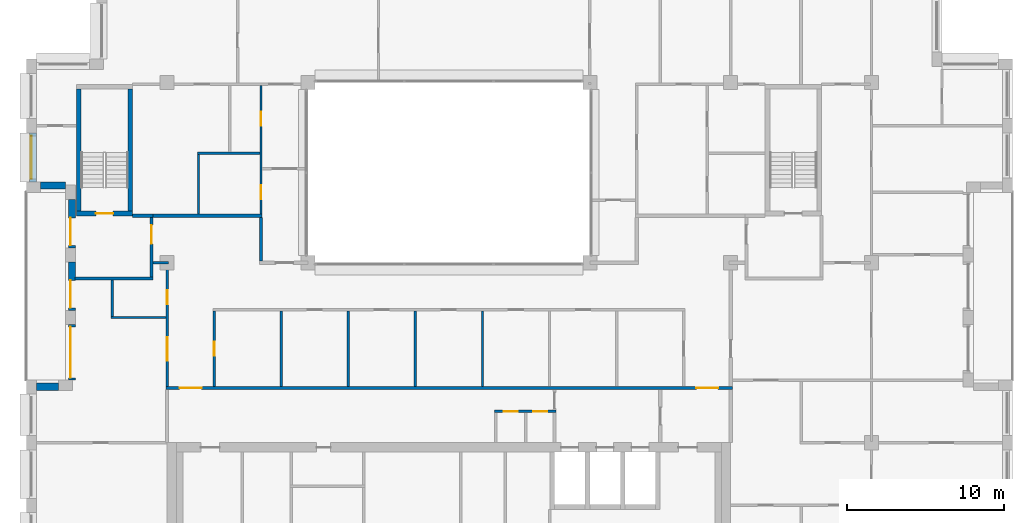
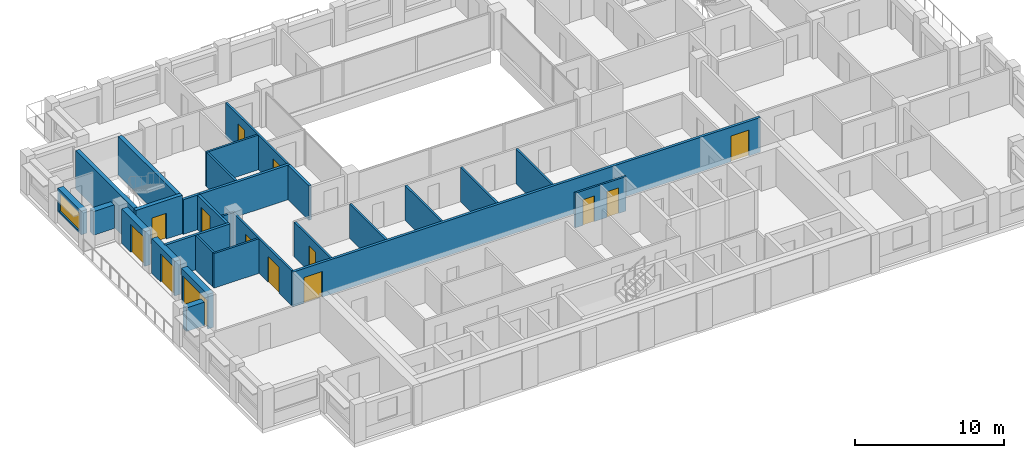
# One storey, part 9 of 15: 28 walls, 14 doors, 1 window, 15 openings.
"""IFC4 building model written with IfcOpenShell, lengths in metres."""

from ifc_helpers import new_model, si_unit, direction, frame, frame_2d, origin, place, context, subcontext, project, spatial, rectangle, extrude, material, layer, layer_set, type_object, element, fill, save


model = new_model("IFC4")

# Units and contexts
model_context = context("Model", 3, precision=1e-05, world=origin(), true_north=direction((0.0, 1.0)))
body_context = subcontext(model_context, "Body", "Model", "MODEL_VIEW")
ifc_project = project(units=[si_unit("LENGTHUNIT", "METRE"), si_unit("AREAUNIT", "SQUARE_METRE"), si_unit("VOLUMEUNIT", "CUBIC_METRE"), si_unit("PLANEANGLEUNIT", "RADIAN"), si_unit("MASSUNIT", "GRAM", prefix="KILO")], contexts=[model_context])

# Site, building, storey
site_placement = place(None, origin())
site = spatial("IfcSite", under=ifc_project, at=site_placement, CompositionType="ELEMENT")
building_placement = place(site_placement, origin())
building = spatial("IfcBuilding", under=site, at=building_placement, Name="Brigalow Station Residences", CompositionType="ELEMENT")
storey_placement = place(building_placement, frame((0.0, 0.0, 220.050048828125)))
storey = spatial("IfcBuildingStorey", under=building, at=storey_placement, Name="L63", CompositionType="ELEMENT", Elevation=220.050048828125)

# Wall, opening, window
ifc_material_1 = material(Name="Clay brick masonry", Category="masonry")
ifc_layer_1 = layer(ifc_material_1, 0.449951171875)
ifc_layer_set_1 = layer_set([ifc_layer_1], Name="BRICK INFILL WALL 450")
wall_type_1 = type_object("IfcWallType", Name="BRICK INFILL WALL 450", PredefinedType="SOLIDWALL", material=ifc_layer_set_1)
wall_1_placement = place(storey_placement, frame((9.425048828125, 32.300048828125, 0.89990234375), z_axis=(0.0, 0.0, 1.0), x_axis=(0.0, -1.0, 0.0)))
wall_1 = element("IfcWall", 1, at=wall_1_placement, inside=storey, type_object=wall_type_1, Name="L63/ewall/W-L63-35", PredefinedType="SOLIDWALL", context=body_context, shape_type="SweptSolid", body=[
    extrude(rectangle(XDim=3.150146484375, YDim=0.449951171875, at=frame_2d((1.5751953125, 0.0))), origin(), (0.0, 0.0, 1.0), 1.929931640625),
])
opening_1_placement = place(wall_1_placement, frame((0.199951171875, 0.0, 0.14990234375)))
opening_1 = element("IfcOpeningElement", 2, at=opening_1_placement, cuts=wall_1, Name="Opening WT-3", PredefinedType="OPENING", context=body_context, shape_type="SweptSolid", body=[
    extrude(rectangle(XDim=2.75, YDim=1.5, at=frame_2d((1.375, 0.75))), frame((0.0, 0.23486328125, 0.0), z_axis=(0.0, -1.0, 0.0), x_axis=(1.0, 0.0, 0.0)), (0.0, 0.0, 1.0), 0.469970703125),
])
ifc_material_2 = material(Name="Anodised aluminium frame with double glazing", Category="aluminium")
window_type = type_object("IfcWindowType", Name="WINDOW 2750x1500", PartitioningType="SINGLE_PANEL", PredefinedType="WINDOW", material=ifc_material_2)
window_placement = place(opening_1_placement, origin())
window = element("IfcWindow", 3, at=window_placement, inside=storey, type_object=window_type, Name="L63/window/W-L63-35", OverallHeight=1.5, OverallWidth=2.75, PartitioningType="SINGLE_PANEL", PredefinedType="WINDOW", context=body_context, shape_type="SweptSolid", body=[
    extrude(rectangle(XDim=2.75, YDim=1.5, at=frame_2d((1.375, 0.75))), frame((0.0, -0.06494140625, 0.0), z_axis=(0.0, -1.0, 0.0), x_axis=(1.0, 0.0, 0.0)), (0.0, 0.0, 1.0), 0.06005859375),
])
fill(opening_1, window)

# Wall
wall_2_placement = place(storey_placement, frame((9.89990234375, 28.925048828125, 0.89990234375), z_axis=(0.0, 0.0, 1.0), x_axis=(1.0, 0.0, 0.0)))
element("IfcWall", 4, at=wall_2_placement, inside=storey, type_object=wall_type_1, Name="L63/ewall/W-L63-36", PredefinedType="SOLIDWALL", context=body_context, shape_type="SweptSolid", body=[
    extrude(rectangle(XDim=1.60009765625, YDim=0.449951171875, at=frame_2d((0.800048828125, 0.0))), origin(), (0.0, 0.0, 1.0), 1.929931640625),
])

# Wall, opening, door
wall_3_placement = place(storey_placement, frame((11.925048828125, 28.050048828125, 0.0), z_axis=(0.0, 0.0, 1.0), x_axis=(0.0, -1.0, 0.0)))
wall_3 = element("IfcWall", 5, at=wall_3_placement, inside=storey, type_object=wall_type_1, Name="L63/ewall/W-L63-37", PredefinedType="SOLIDWALL", context=body_context, shape_type="SweptSolid", body=[
    extrude(rectangle(XDim=3.10009765625, YDim=0.449951171875, at=frame_2d((1.550048828125, 0.0))), origin(), (0.0, 0.0, 1.0), 2.829833984375),
])
opening_2_placement = place(wall_3_placement, frame((1.18505859375, 0.0, 0.0)))
opening_2 = element("IfcOpeningElement", 6, at=opening_2_placement, cuts=wall_3, Name="Opening D-B1750", PredefinedType="OPENING", context=body_context, shape_type="SweptSolid", body=[
    extrude(rectangle(XDim=1.75, YDim=2.300048828125, at=frame_2d((0.875, 1.14990234375))), frame((0.0, 0.23486328125, 0.0), z_axis=(0.0, -1.0, 0.0), x_axis=(1.0, 0.0, 0.0)), (0.0, 0.0, 1.0), 0.469970703125),
])
ifc_material_3 = material(Name="Anodised aluminium frame with double glazing", Category="aluminium")
door_type_1 = type_object("IfcDoorType", Name="BALCONY SLIDING DOOR 1750x2300", OperationType="SLIDING_TO_LEFT", PredefinedType="DOOR", material=ifc_material_3)
door_1_placement = place(opening_2_placement, frame((1.75, -0.18994140625, 0.0), z_axis=(0.0, 0.0, 1.0), x_axis=(-1.0, 0.0, 0.0)))
door_1 = element("IfcDoor", 7, at=door_1_placement, inside=storey, type_object=door_type_1, Name="L63/balcony-door/W-L63-37", OperationType="SLIDING_TO_LEFT", OverallHeight=2.300048828125, OverallWidth=1.75, PredefinedType="DOOR", context=body_context, shape_type="SweptSolid", body=[
    extrude(rectangle(XDim=1.75, YDim=2.300048828125, at=frame_2d((0.875, 1.14990234375))), frame((0.0, -0.06982421875, 0.0), z_axis=(0.0, -1.0, 0.0), x_axis=(1.0, 0.0, 0.0)), (0.0, 0.0, 1.0), 0.050048828125),
])
fill(opening_2, door_1)

wall_4_placement = place(storey_placement, frame((11.925048828125, 24.050048828125, 0.0), z_axis=(0.0, 0.0, 1.0), x_axis=(0.0, -1.0, 0.0)))
wall_4 = element("IfcWall", 8, at=wall_4_placement, inside=storey, type_object=wall_type_1, Name="L63/ewall/W-L63-38", PredefinedType="SOLIDWALL", context=body_context, shape_type="SweptSolid", body=[
    extrude(rectangle(XDim=3.10009765625, YDim=0.449951171875, at=frame_2d((1.550048828125, 0.0))), origin(), (0.0, 0.0, 1.0), 2.829833984375),
])
opening_3_placement = place(wall_4_placement, frame((1.18505859375, 0.0, 0.0)))
opening_3 = element("IfcOpeningElement", 9, at=opening_3_placement, cuts=wall_4, Name="Opening D-B1750", PredefinedType="OPENING", context=body_context, shape_type="SweptSolid", body=[
    extrude(rectangle(XDim=1.75, YDim=2.300048828125, at=frame_2d((0.875, 1.14990234375))), frame((0.0, 0.23486328125, 0.0), z_axis=(0.0, -1.0, 0.0), x_axis=(1.0, 0.0, 0.0)), (0.0, 0.0, 1.0), 0.469970703125),
])
door_2_placement = place(opening_3_placement, origin())
door_2 = element("IfcDoor", 10, at=door_2_placement, inside=storey, type_object=door_type_1, Name="L63/balcony-door/W-L63-38", OperationType="SLIDING_TO_LEFT", OverallHeight=2.300048828125, OverallWidth=1.75, PredefinedType="DOOR", context=body_context, shape_type="SweptSolid", body=[
    extrude(rectangle(XDim=1.75, YDim=2.300048828125, at=frame_2d((0.875, 1.14990234375))), frame((0.0, -0.06982421875, 0.0), z_axis=(0.0, -1.0, 0.0), x_axis=(1.0, 0.0, 0.0)), (0.0, 0.0, 1.0), 0.050048828125),
])
fill(opening_3, door_2)

wall_5_placement = place(storey_placement, frame((11.925048828125, 20.050048828125, 0.0), z_axis=(0.0, 0.0, 1.0), x_axis=(0.0, -1.0, 0.0)))
wall_5 = element("IfcWall", 11, at=wall_5_placement, inside=storey, type_object=wall_type_1, Name="L63/ewall/W-L63-39", PredefinedType="SOLIDWALL", context=body_context, shape_type="SweptSolid", body=[
    extrude(rectangle(XDim=3.550048828125, YDim=0.449951171875, at=frame_2d((1.77490234375, 0.0))), origin(), (0.0, 0.0, 1.0), 2.829833984375),
])
opening_4_placement = place(wall_5_placement, frame((0.14990234375, 0.0, 0.0)))
opening_4 = element("IfcOpeningElement", 12, at=opening_4_placement, cuts=wall_5, Name="Opening D-B3250", PredefinedType="OPENING", context=body_context, shape_type="SweptSolid", body=[
    extrude(rectangle(XDim=3.25, YDim=2.300048828125, at=frame_2d((1.625, 1.14990234375))), frame((0.0, 0.23486328125, 0.0), z_axis=(0.0, -1.0, 0.0), x_axis=(1.0, 0.0, 0.0)), (0.0, 0.0, 1.0), 0.469970703125),
])
ifc_material_4 = material(Name="Anodised aluminium frame with double glazing", Category="aluminium")
door_type_2 = type_object("IfcDoorType", Name="BALCONY SLIDING DOOR 3250x2300", OperationType="SLIDING_TO_LEFT", PredefinedType="DOOR", material=ifc_material_4)
door_3_placement = place(opening_4_placement, origin())
door_3 = element("IfcDoor", 13, at=door_3_placement, inside=storey, type_object=door_type_2, Name="L63/balcony-door/W-L63-39", OperationType="SLIDING_TO_LEFT", OverallHeight=2.300048828125, OverallWidth=3.25, PredefinedType="DOOR", context=body_context, shape_type="SweptSolid", body=[
    extrude(rectangle(XDim=3.25, YDim=2.300048828125, at=frame_2d((1.625, 1.14990234375))), frame((0.0, -0.06982421875, 0.0), z_axis=(0.0, -1.0, 0.0), x_axis=(1.0, 0.0, 0.0)), (0.0, 0.0, 1.0), 0.050048828125),
])
fill(opening_4, door_3)

# Wall
wall_6_placement = place(storey_placement, frame((11.050048828125, 16.074951171875, 0.89990234375), z_axis=(0.0, 0.0, 1.0), x_axis=(-1.0, 0.0, 0.0)))
element("IfcWall", 14, at=wall_6_placement, inside=storey, type_object=wall_type_1, Name="L63/ewall/W-L63-40", PredefinedType="SOLIDWALL", context=body_context, shape_type="SweptSolid", body=[
    extrude(rectangle(XDim=1.400146484375, YDim=0.449951171875, at=frame_2d((0.7001953125, 0.0))), origin(), (0.0, 0.0, 1.0), 1.929931640625),
])

# Wall, opening, door
ifc_material_5 = material(Name="Concrete C50", Category="concrete")
ifc_layer_2 = layer(ifc_material_5, 0.300048828125)
ifc_layer_set_2 = layer_set([ifc_layer_2], Name="CORE SHEAR WALL 300 C50")
wall_type_2 = type_object("IfcWallType", Name="CORE SHEAR WALL 300 C50", PredefinedType="SHEAR", material=ifc_layer_set_2)
wall_7_placement = place(storey_placement, frame((12.199951171875, 27.14990234375, 0.0), z_axis=(0.0, 0.0, 1.0), x_axis=(1.0, 0.0, 0.0)))
wall_7 = element("IfcWall", 15, at=wall_7_placement, inside=storey, type_object=wall_type_2, Name="CORE WALL ST-S1-S L63", PredefinedType="SHEAR", context=body_context, shape_type="SweptSolid", body=[
    extrude(rectangle(XDim=3.60009765625, YDim=0.300048828125, at=frame_2d((1.800048828125, 0.0))), origin(), (0.0, 0.0, 1.0), 3.14990234375),
])
opening_5_placement = place(wall_7_placement, frame((1.25, 0.0, 0.0)))
opening_5 = element("IfcOpeningElement", 16, at=opening_5_placement, cuts=wall_7, Name="Opening D-5015", PredefinedType="OPENING", context=body_context, shape_type="SweptSolid", body=[
    extrude(rectangle(XDim=1.10009765625, YDim=2.10009765625, at=frame_2d((0.550048828125, 1.050048828125))), frame((0.0, 0.16015625, 0.0), z_axis=(0.0, -1.0, 0.0), x_axis=(1.0, 0.0, 0.0)), (0.0, 0.0, 1.0), 0.320068359375),
])
ifc_material_6 = material(Name="Steel fire door leaf in steel frame", Category="steel")
door_type_3 = type_object("IfcDoorType", Name="STAIR DOOR 1100 x 2100 FD60S", OperationType="SINGLE_SWING_LEFT", PredefinedType="DOOR", material=ifc_material_6)
door_4_placement = place(opening_5_placement, origin())
door_4 = element("IfcDoor", 17, at=door_4_placement, inside=storey, type_object=door_type_3, Name="D-5015", OperationType="SINGLE_SWING_LEFT", OverallHeight=2.10009765625, OverallWidth=1.10009765625, PredefinedType="DOOR", context=body_context, shape_type="SweptSolid", body=[
    extrude(rectangle(XDim=1.10009765625, YDim=2.10009765625, at=frame_2d((0.550048828125, 1.050048828125))), frame((0.0, 0.02490234375, 0.0), z_axis=(0.0, -1.0, 0.0), x_axis=(1.0, 0.0, 0.0)), (0.0, 0.0, 1.0), 0.050048828125),
])
fill(opening_5, door_4)

# Walls
for number, where, z_axis, x_axis, name in (
    (18, (12.35009765625, 27.300048828125, 0.0), (0.0, 0.0, 1.0), (0.0, 1.0, 0.0), "CORE WALL ST-S1-W L63"),
    (19, (15.64990234375, 27.300048828125, 0.0), (0.0, 0.0, 1.0), (0.0, 1.0, 0.0), "CORE WALL ST-S1-E L63"),
):
    element("IfcWall", number, at=place(storey_placement, frame(where, z_axis=z_axis, x_axis=x_axis)), inside=storey, type_object=wall_type_2, Name=name, PredefinedType="SHEAR", context=body_context, shape_type="SweptSolid", body=[
        extrude(rectangle(XDim=7.800048828125, YDim=0.300048828125, at=frame_2d((3.89990234375, 0.0))), origin(), (0.0, 0.0, 1.0), 3.14990234375),
    ])
ifc_material_7 = material(Name="Concrete blockwork", Category="masonry")
ifc_layer_3 = layer(ifc_material_7, 0.199951171875)
ifc_layer_set_3 = layer_set([ifc_layer_3], Name="FIRE RATED CORE PARTITION 200")
wall_type_3 = type_object("IfcWallType", Name="FIRE RATED CORE PARTITION 200", PredefinedType="PARTITIONING", material=ifc_layer_set_3)
wall_8_placement = place(storey_placement, frame((12.10009765625, 23.0, 0.0), z_axis=(0.0, 0.0, 1.0), x_axis=(1.0, 0.0, 0.0)))
element("IfcWall", 20, at=wall_8_placement, inside=storey, type_object=wall_type_3, Name="PW-5023", PredefinedType="PARTITIONING", context=body_context, shape_type="SweptSolid", body=[
    extrude(rectangle(XDim=5.0, YDim=0.199951171875, at=frame_2d((2.5, 0.0))), origin(), (0.0, 0.0, 1.0), 2.829833984375),
])
wall_9_placement = place(storey_placement, frame((15.800048828125, 27.0, 0.0), z_axis=(0.0, 0.0, 1.0), x_axis=(1.0, 0.0, 0.0)))
element("IfcWall", 21, at=wall_9_placement, inside=storey, type_object=wall_type_3, Name="PW-5025", PredefinedType="PARTITIONING", context=body_context, shape_type="SweptSolid", body=[
    extrude(rectangle(XDim=1.300048828125, YDim=0.199951171875, at=frame_2d((0.64990234375, 0.0))), origin(), (0.0, 0.0, 1.0), 2.829833984375),
])

# Wall, opening, door
wall_10_placement = place(storey_placement, frame((17.0, 23.10009765625, 0.0), z_axis=(0.0, 0.0, 1.0), x_axis=(0.0, 1.0, 0.0)))
wall_10 = element("IfcWall", 22, at=wall_10_placement, inside=storey, type_object=wall_type_3, Name="PW-5035", PredefinedType="PARTITIONING", context=body_context, shape_type="SweptSolid", body=[
    extrude(rectangle(XDim=3.7998046875, YDim=0.199951171875, at=frame_2d((1.89990234375, 0.0))), origin(), (0.0, 0.0, 1.0), 2.829833984375),
])
opening_6_placement = place(wall_10_placement, frame((2.10009765625, 0.0, 0.0)))
opening_6 = element("IfcOpeningElement", 23, at=opening_6_placement, cuts=wall_10, Name="Opening D-5016", PredefinedType="OPENING", context=body_context, shape_type="SweptSolid", body=[
    extrude(rectangle(XDim=1.199951171875, YDim=2.10009765625, at=frame_2d((0.60009765625, 1.050048828125))), frame((0.0, 0.10986328125, 0.0), z_axis=(0.0, -1.0, 0.0), x_axis=(1.0, 0.0, 0.0)), (0.0, 0.0, 1.0), 0.219970703125),
])
ifc_material_8 = material(Name="Steel fire door leaf in steel frame", Category="steel")
door_type_4 = type_object("IfcDoorType", Name="STAIR LOBBY DOOR 1200 x 2100 FD60S", OperationType="SINGLE_SWING_LEFT", PredefinedType="DOOR", material=ifc_material_8)
door_5_placement = place(opening_6_placement, origin())
door_5 = element("IfcDoor", 24, at=door_5_placement, inside=storey, type_object=door_type_4, Name="D-5016", OperationType="SINGLE_SWING_RIGHT", OverallHeight=2.10009765625, OverallWidth=1.199951171875, PredefinedType="DOOR", context=body_context, shape_type="SweptSolid", body=[
    extrude(rectangle(XDim=1.199951171875, YDim=2.10009765625, at=frame_2d((0.60009765625, 1.050048828125))), frame((0.0, 0.02490234375, 0.0), z_axis=(0.0, -1.0, 0.0), x_axis=(1.0, 0.0, 0.0)), (0.0, 0.0, 1.0), 0.050048828125),
])
fill(opening_6, door_5)

# Walls
ifc_material_9 = material(Name="Plasterboard on steel stud partition", Category="steel")
ifc_layer_4 = layer(ifc_material_9, 0.14990234375)
ifc_layer_set_4 = layer_set([ifc_layer_4], Name="FLAT PARTITION 150")
wall_type_4 = type_object("IfcWallType", Name="FLAT PARTITION 150", PredefinedType="PARTITIONING", material=ifc_layer_set_4)
wall_11_placement = place(storey_placement, frame((17.10009765625, 24.0, 0.0), z_axis=(0.0, 0.0, 1.0), x_axis=(1.0, 0.0, 0.0)))
element("IfcWall", 25, at=wall_11_placement, inside=storey, type_object=wall_type_4, Name="PW-4C01", PredefinedType="PARTITIONING", context=body_context, shape_type="SweptSolid", body=[
    extrude(rectangle(XDim=0.974853515625, YDim=0.14990234375, at=frame_2d((0.4873046875, 0.0))), origin(), (0.0, 0.0, 1.0), 2.829833984375),
])
wall_12_placement = place(storey_placement, frame((14.425048828125, 20.5, 0.0), z_axis=(0.0, 0.0, 1.0), x_axis=(1.0, 0.0, 0.0)))
element("IfcWall", 26, at=wall_12_placement, inside=storey, type_object=wall_type_4, Name="PW-4C11", PredefinedType="PARTITIONING", context=body_context, shape_type="SweptSolid", body=[
    extrude(rectangle(XDim=3.5, YDim=0.14990234375, at=frame_2d((1.75, 0.0))), origin(), (0.0, 0.0, 1.0), 2.829833984375),
])
wall_13_placement = place(storey_placement, frame((19.925048828125, 31.0, 0.0), z_axis=(0.0, 0.0, 1.0), x_axis=(1.0, 0.0, 0.0)))
element("IfcWall", 27, at=wall_13_placement, inside=storey, type_object=wall_type_4, Name="PW-4C17", PredefinedType="PARTITIONING", context=body_context, shape_type="SweptSolid", body=[
    extrude(rectangle(XDim=4.0, YDim=0.14990234375, at=frame_2d((2.0, 0.0))), origin(), (0.0, 0.0, 1.0), 2.829833984375),
])

# Wall, openings, doors
wall_14_placement = place(storey_placement, frame((18.0, 16.10009765625, 0.0), z_axis=(0.0, 0.0, 1.0), x_axis=(0.0, 1.0, 0.0)))
wall_14 = element("IfcWall", 28, at=wall_14_placement, inside=storey, type_object=wall_type_4, Name="PW-4C27", PredefinedType="PARTITIONING", context=body_context, shape_type="SweptSolid", body=[
    extrude(rectangle(XDim=7.824951171875, YDim=0.14990234375, at=frame_2d((3.91259765625, 0.0))), origin(), (0.0, 0.0, 1.0), 2.829833984375),
])
opening_7_placement = place(wall_14_placement, frame((1.64990234375, 0.0, 0.0)))
opening_7 = element("IfcOpeningElement", 29, at=opening_7_placement, cuts=wall_14, Name="Opening D-4C03", PredefinedType="OPENING", context=body_context, shape_type="SweptSolid", body=[
    extrude(rectangle(XDim=1.5, YDim=2.10009765625, at=frame_2d((0.75, 1.050048828125))), frame((0.0, 0.0849609375, 0.0), z_axis=(0.0, -1.0, 0.0), x_axis=(1.0, 0.0, 0.0)), (0.0, 0.0, 1.0), 0.169921875),
])
opening_8_placement = place(wall_14_placement, frame((5.25, 0.0, 0.0)))
opening_8 = element("IfcOpeningElement", 30, at=opening_8_placement, cuts=wall_14, Name="Opening D-4C04", PredefinedType="OPENING", context=body_context, shape_type="SweptSolid", body=[
    extrude(rectangle(XDim=0.89990234375, YDim=2.10009765625, at=frame_2d((0.449951171875, 1.050048828125))), frame((0.0, 0.0849609375, 0.0), z_axis=(0.0, -1.0, 0.0), x_axis=(1.0, 0.0, 0.0)), (0.0, 0.0, 1.0), 0.169921875),
])
ifc_material_10 = material(Name="Solid-core timber door leaf", Category="wood")
door_type_5 = type_object("IfcDoorType", Name="INTERNAL DOOR 1500 x 2100", OperationType="SINGLE_SWING_LEFT", PredefinedType="DOOR", material=ifc_material_10)
door_6_placement = place(opening_7_placement, frame((1.5, 0.0, 0.0), z_axis=(0.0, 0.0, 1.0), x_axis=(-1.0, 0.0, 0.0)))
door_6 = element("IfcDoor", 31, at=door_6_placement, inside=storey, type_object=door_type_5, Name="D-4C03", OperationType="SINGLE_SWING_RIGHT", OverallHeight=2.10009765625, OverallWidth=1.5, PredefinedType="DOOR", context=body_context, shape_type="SweptSolid", body=[
    extrude(rectangle(XDim=1.5, YDim=2.10009765625, at=frame_2d((0.75, 1.050048828125))), frame((0.0, 0.02490234375, 0.0), z_axis=(0.0, -1.0, 0.0), x_axis=(1.0, 0.0, 0.0)), (0.0, 0.0, 1.0), 0.050048828125),
])
fill(opening_7, door_6)
ifc_material_11 = material(Name="Solid-core timber door leaf", Category="wood")
door_type_6 = type_object("IfcDoorType", Name="INTERNAL DOOR 900 x 2100", OperationType="SINGLE_SWING_LEFT", PredefinedType="DOOR", material=ifc_material_11)
door_7_placement = place(opening_8_placement, origin())
door_7 = element("IfcDoor", 32, at=door_7_placement, inside=storey, type_object=door_type_6, Name="D-4C04", OperationType="SINGLE_SWING_LEFT", OverallHeight=2.10009765625, OverallWidth=0.89990234375, PredefinedType="DOOR", context=body_context, shape_type="SweptSolid", body=[
    extrude(rectangle(XDim=0.89990234375, YDim=2.10009765625, at=frame_2d((0.449951171875, 1.050048828125))), frame((0.0, 0.02490234375, 0.0), z_axis=(0.0, -1.0, 0.0), x_axis=(1.0, 0.0, 0.0)), (0.0, 0.0, 1.0), 0.050048828125),
])
fill(opening_8, door_7)

# Wall, opening, door
wall_15_placement = place(storey_placement, frame((21.0, 16.10009765625, 0.0), z_axis=(0.0, 0.0, 1.0), x_axis=(0.0, 1.0, 0.0)))
wall_15 = element("IfcWall", 33, at=wall_15_placement, inside=storey, type_object=wall_type_4, Name="PW-4C30", PredefinedType="PARTITIONING", context=body_context, shape_type="SweptSolid", body=[
    extrude(rectangle(XDim=4.824951171875, YDim=0.14990234375, at=frame_2d((2.41259765625, 0.0))), origin(), (0.0, 0.0, 1.0), 2.829833984375),
])
opening_9_placement = place(wall_15_placement, frame((1.949951171875, 0.0, 0.0)))
opening_9 = element("IfcOpeningElement", 34, at=opening_9_placement, cuts=wall_15, Name="Opening D-4C37", PredefinedType="OPENING", context=body_context, shape_type="SweptSolid", body=[
    extrude(rectangle(XDim=0.89990234375, YDim=2.10009765625, at=frame_2d((0.449951171875, 1.050048828125))), frame((0.0, 0.0849609375, 0.0), z_axis=(0.0, -1.0, 0.0), x_axis=(1.0, 0.0, 0.0)), (0.0, 0.0, 1.0), 0.169921875),
])
door_8_placement = place(opening_9_placement, frame((0.89990234375, 0.0, 0.0), z_axis=(0.0, 0.0, 1.0), x_axis=(-1.0, 0.0, 0.0)))
door_8 = element("IfcDoor", 35, at=door_8_placement, inside=storey, type_object=door_type_6, Name="D-4C37", OperationType="SINGLE_SWING_RIGHT", OverallHeight=2.10009765625, OverallWidth=0.89990234375, PredefinedType="DOOR", context=body_context, shape_type="SweptSolid", body=[
    extrude(rectangle(XDim=0.89990234375, YDim=2.10009765625, at=frame_2d((0.449951171875, 1.050048828125))), frame((0.0, 0.02490234375, 0.0), z_axis=(0.0, -1.0, 0.0), x_axis=(1.0, 0.0, 0.0)), (0.0, 0.0, 1.0), 0.050048828125),
])
fill(opening_9, door_8)

# Wall, openings, doors
wall_16_placement = place(storey_placement, frame((24.0, 27.10009765625, 0.0), z_axis=(0.0, 0.0, 1.0), x_axis=(0.0, 1.0, 0.0)))
wall_16 = element("IfcWall", 36, at=wall_16_placement, inside=storey, type_object=wall_type_4, Name="PW-4C32", PredefinedType="PARTITIONING", context=body_context, shape_type="SweptSolid", body=[
    extrude(rectangle(XDim=8.224853515625, YDim=0.14990234375, at=frame_2d((4.1123046875, 0.0))), origin(), (0.0, 0.0, 1.0), 2.829833984375),
])
opening_10_placement = place(wall_16_placement, frame((0.949951171875, 0.0, 0.0)))
opening_10 = element("IfcOpeningElement", 37, at=opening_10_placement, cuts=wall_16, Name="Opening D-4C09", PredefinedType="OPENING", context=body_context, shape_type="SweptSolid", body=[
    extrude(rectangle(XDim=0.89990234375, YDim=2.10009765625, at=frame_2d((0.449951171875, 1.050048828125))), frame((0.0, 0.0849609375, 0.0), z_axis=(0.0, -1.0, 0.0), x_axis=(1.0, 0.0, 0.0)), (0.0, 0.0, 1.0), 0.169921875),
])
opening_11_placement = place(wall_16_placement, frame((5.64990234375, 0.0, 0.0)))
opening_11 = element("IfcOpeningElement", 38, at=opening_11_placement, cuts=wall_16, Name="Opening D-4C10", PredefinedType="OPENING", context=body_context, shape_type="SweptSolid", body=[
    extrude(rectangle(XDim=0.89990234375, YDim=2.10009765625, at=frame_2d((0.449951171875, 1.050048828125))), frame((0.0, 0.0849609375, 0.0), z_axis=(0.0, -1.0, 0.0), x_axis=(1.0, 0.0, 0.0)), (0.0, 0.0, 1.0), 0.169921875),
])
door_9_placement = place(opening_10_placement, origin())
door_9 = element("IfcDoor", 39, at=door_9_placement, inside=storey, type_object=door_type_6, Name="D-4C09", OperationType="SINGLE_SWING_LEFT", OverallHeight=2.10009765625, OverallWidth=0.89990234375, PredefinedType="DOOR", context=body_context, shape_type="SweptSolid", body=[
    extrude(rectangle(XDim=0.89990234375, YDim=2.10009765625, at=frame_2d((0.449951171875, 1.050048828125))), frame((0.0, 0.02490234375, 0.0), z_axis=(0.0, -1.0, 0.0), x_axis=(1.0, 0.0, 0.0)), (0.0, 0.0, 1.0), 0.050048828125),
])
fill(opening_10, door_9)
door_10_placement = place(opening_11_placement, origin())
door_10 = element("IfcDoor", 40, at=door_10_placement, inside=storey, type_object=door_type_6, Name="D-4C10", OperationType="SINGLE_SWING_LEFT", OverallHeight=2.10009765625, OverallWidth=0.89990234375, PredefinedType="DOOR", context=body_context, shape_type="SweptSolid", body=[
    extrude(rectangle(XDim=0.89990234375, YDim=2.10009765625, at=frame_2d((0.449951171875, 1.050048828125))), frame((0.0, 0.02490234375, 0.0), z_axis=(0.0, -1.0, 0.0), x_axis=(1.0, 0.0, 0.0)), (0.0, 0.0, 1.0), 0.050048828125),
])
fill(opening_11, door_10)

# Walls
wall_17_placement = place(storey_placement, frame((14.5, 20.574951171875, 0.0), z_axis=(0.0, 0.0, 1.0), x_axis=(0.0, 1.0, 0.0)))
element("IfcWall", 41, at=wall_17_placement, inside=storey, type_object=wall_type_4, Name="PW-4C36", PredefinedType="PARTITIONING", context=body_context, shape_type="SweptSolid", body=[
    extrude(rectangle(XDim=2.324951171875, YDim=0.14990234375, at=frame_2d((1.16259765625, 0.0))), origin(), (0.0, 0.0, 1.0), 2.829833984375),
])
wall_18_placement = place(storey_placement, frame((20.0, 27.10009765625, 0.0), z_axis=(0.0, 0.0, 1.0), x_axis=(0.0, 1.0, 0.0)))
element("IfcWall", 42, at=wall_18_placement, inside=storey, type_object=wall_type_4, Name="PW-4C37", PredefinedType="PARTITIONING", context=body_context, shape_type="SweptSolid", body=[
    extrude(rectangle(XDim=3.824951171875, YDim=0.14990234375, at=frame_2d((1.91259765625, 0.0))), origin(), (0.0, 0.0, 1.0), 2.829833984375),
])
for number, where, z_axis, x_axis, name in (
    (43, (25.285888671875, 16.10009765625, 0.0), (0.0, 0.0, 1.0), (0.0, 1.0, 0.0), "PW-4C52"),
    (44, (29.571044921875, 16.10009765625, 0.0), (0.0, 0.0, 1.0), (0.0, 1.0, 0.0), "PW-4C53"),
    (45, (33.85693359375, 16.10009765625, 0.0), (0.0, 0.0, 1.0), (0.0, 1.0, 0.0), "PW-4C54"),
    (46, (38.14306640625, 16.10009765625, 0.0), (0.0, 0.0, 1.0), (0.0, 1.0, 0.0), "PW-4C55"),
):
    element("IfcWall", number, at=place(storey_placement, frame(where, z_axis=z_axis, x_axis=x_axis)), inside=storey, type_object=wall_type_4, Name=name, PredefinedType="PARTITIONING", context=body_context, shape_type="SweptSolid", body=[
        extrude(rectangle(XDim=4.824951171875, YDim=0.14990234375, at=frame_2d((2.41259765625, 0.0))), origin(), (0.0, 0.0, 1.0), 2.829833984375),
    ])
ifc_material_12 = material(Name="Plasterboard on steel stud partition", Category="steel")
ifc_layer_5 = layer(ifc_material_12, 0.199951171875)
ifc_layer_set_5 = layer_set([ifc_layer_5], Name="PARTY AND CORRIDOR WALL 200")
wall_type_5 = type_object("IfcWallType", Name="PARTY AND CORRIDOR WALL 200", PredefinedType="PARTITIONING", material=ifc_layer_set_5)
wall_19_placement = place(storey_placement, frame((17.10009765625, 27.0, 0.0), z_axis=(0.0, 0.0, 1.0), x_axis=(1.0, 0.0, 0.0)))
element("IfcWall", 47, at=wall_19_placement, inside=storey, type_object=wall_type_5, Name="PW-4C07", PredefinedType="PARTITIONING", context=body_context, shape_type="SweptSolid", body=[
    extrude(rectangle(XDim=6.974853515625, YDim=0.199951171875, at=frame_2d((3.4873046875, 0.0))), origin(), (0.0, 0.0, 1.0), 2.829833984375),
])

# Wall, openings, doors
wall_20_placement = place(storey_placement, frame((17.925048828125, 16.0, 0.0), z_axis=(0.0, 0.0, 1.0), x_axis=(1.0, 0.0, 0.0)))
wall_20 = element("IfcWall", 48, at=wall_20_placement, inside=storey, type_object=wall_type_5, Name="PW-4C26", PredefinedType="PARTITIONING", context=body_context, shape_type="SweptSolid", body=[
    extrude(rectangle(XDim=36.175048828125, YDim=0.199951171875, at=frame_2d((18.08740234375, 0.0))), origin(), (0.0, 0.0, 1.0), 2.829833984375),
])
opening_12_placement = place(wall_20_placement, frame((0.875, 0.0, 0.0)))
opening_12 = element("IfcOpeningElement", 49, at=opening_12_placement, cuts=wall_20, Name="Opening D-4C01", PredefinedType="OPENING", context=body_context, shape_type="SweptSolid", body=[
    extrude(rectangle(XDim=1.39990234375, YDim=2.10009765625, at=frame_2d((0.699951171875, 1.050048828125))), frame((0.0, 0.10986328125, 0.0), z_axis=(0.0, -1.0, 0.0), x_axis=(1.0, 0.0, 0.0)), (0.0, 0.0, 1.0), 0.219970703125),
])
opening_13_placement = place(wall_20_placement, frame((33.875, 0.0, 0.0)))
opening_13 = element("IfcOpeningElement", 50, at=opening_13_placement, cuts=wall_20, Name="Opening D-4C02", PredefinedType="OPENING", context=body_context, shape_type="SweptSolid", body=[
    extrude(rectangle(XDim=1.39990234375, YDim=2.10009765625, at=frame_2d((0.699951171875, 1.050048828125))), frame((0.0, 0.10986328125, 0.0), z_axis=(0.0, -1.0, 0.0), x_axis=(1.0, 0.0, 0.0)), (0.0, 0.0, 1.0), 0.219970703125),
])
ifc_material_13 = material(Name="Solid-core timber door leaf", Category="wood")
door_type_7 = type_object("IfcDoorType", Name="CORRIDOR FIRE DOOR 1400 x 2100 FRL -/60/30", OperationType="DOUBLE_DOOR_SINGLE_SWING", PredefinedType="DOOR", material=ifc_material_13)
door_11_placement = place(opening_12_placement, frame((1.39990234375, 0.0, 0.0), z_axis=(0.0, 0.0, 1.0), x_axis=(-1.0, 0.0, 0.0)))
door_11 = element("IfcDoor", 51, at=door_11_placement, inside=storey, type_object=door_type_7, Name="D-4C01", OperationType="DOUBLE_DOOR_SINGLE_SWING", OverallHeight=2.10009765625, OverallWidth=1.39990234375, PredefinedType="DOOR", context=body_context, shape_type="SweptSolid", body=[
    extrude(rectangle(XDim=1.39990234375, YDim=2.10009765625, at=frame_2d((0.699951171875, 1.050048828125))), frame((0.0, 0.02490234375, 0.0), z_axis=(0.0, -1.0, 0.0), x_axis=(1.0, 0.0, 0.0)), (0.0, 0.0, 1.0), 0.050048828125),
])
fill(opening_12, door_11)
door_12_placement = place(opening_13_placement, frame((1.39990234375, 0.0, 0.0), z_axis=(0.0, 0.0, 1.0), x_axis=(-1.0, 0.0, 0.0)))
door_12 = element("IfcDoor", 52, at=door_12_placement, inside=storey, type_object=door_type_7, Name="D-4C02", OperationType="DOUBLE_DOOR_SINGLE_SWING", OverallHeight=2.10009765625, OverallWidth=1.39990234375, PredefinedType="DOOR", context=body_context, shape_type="SweptSolid", body=[
    extrude(rectangle(XDim=1.39990234375, YDim=2.10009765625, at=frame_2d((0.699951171875, 1.050048828125))), frame((0.0, 0.02490234375, 0.0), z_axis=(0.0, -1.0, 0.0), x_axis=(1.0, 0.0, 0.0)), (0.0, 0.0, 1.0), 0.050048828125),
])
fill(opening_13, door_12)

# Wall
wall_21_placement = place(storey_placement, frame((24.0, 24.10009765625, 0.0), z_axis=(0.0, 0.0, 1.0), x_axis=(0.0, 1.0, 0.0)))
element("IfcWall", 53, at=wall_21_placement, inside=storey, type_object=wall_type_5, Name="PW-4C33", PredefinedType="PARTITIONING", context=body_context, shape_type="SweptSolid", body=[
    extrude(rectangle(XDim=2.7998046875, YDim=0.199951171875, at=frame_2d((1.39990234375, 0.0))), origin(), (0.0, 0.0, 1.0), 2.829833984375),
])

# Wall, openings, doors
ifc_material_14 = material(Name="Plasterboard on steel studs", Category="steel")
ifc_layer_6 = layer(ifc_material_14, 0.14990234375)
ifc_layer_set_6 = layer_set([ifc_layer_6], Name="SERVICE ROOM PARTITION 150")
wall_type_6 = type_object("IfcWallType", Name="SERVICE ROOM PARTITION 150", PredefinedType="PARTITIONING", material=ifc_layer_set_6)
wall_22_placement = place(storey_placement, frame((38.925048828125, 14.5, 0.0), z_axis=(0.0, 0.0, 1.0), x_axis=(1.0, 0.0, 0.0)))
wall_22 = element("IfcWall", 54, at=wall_22_placement, inside=storey, type_object=wall_type_6, Name="PW-5129", PredefinedType="PARTITIONING", context=body_context, shape_type="SweptSolid", body=[
    extrude(rectangle(XDim=3.925048828125, YDim=0.14990234375, at=frame_2d((1.96240234375, 0.0))), origin(), (0.0, 0.0, 1.0), 2.829833984375),
])
opening_14_placement = place(wall_22_placement, frame((0.574951171875, 0.0, 0.0)))
opening_14 = element("IfcOpeningElement", 55, at=opening_14_placement, cuts=wall_22, Name="Opening D-5077", PredefinedType="OPENING", context=body_context, shape_type="SweptSolid", body=[
    extrude(rectangle(XDim=0.89990234375, YDim=2.10009765625, at=frame_2d((0.449951171875, 1.050048828125))), frame((0.0, 0.0849609375, 0.0), z_axis=(0.0, -1.0, 0.0), x_axis=(1.0, 0.0, 0.0)), (0.0, 0.0, 1.0), 0.169921875),
])
opening_15_placement = place(wall_22_placement, frame((2.449951171875, 0.0, 0.0)))
opening_15 = element("IfcOpeningElement", 56, at=opening_15_placement, cuts=wall_22, Name="Opening D-5078", PredefinedType="OPENING", context=body_context, shape_type="SweptSolid", body=[
    extrude(rectangle(XDim=0.89990234375, YDim=2.10009765625, at=frame_2d((0.449951171875, 1.050048828125))), frame((0.0, 0.0849609375, 0.0), z_axis=(0.0, -1.0, 0.0), x_axis=(1.0, 0.0, 0.0)), (0.0, 0.0, 1.0), 0.169921875),
])
ifc_material_15 = material(Name="Steel door leaf in steel frame", Category="steel")
door_type_8 = type_object("IfcDoorType", Name="SERVICE ROOM DOOR 900 x 2100 FD60", OperationType="SINGLE_SWING_LEFT", PredefinedType="DOOR", material=ifc_material_15)
door_13_placement = place(opening_14_placement, frame((0.89990234375, 0.0, 0.0), z_axis=(0.0, 0.0, 1.0), x_axis=(-1.0, 0.0, 0.0)))
door_13 = element("IfcDoor", 57, at=door_13_placement, inside=storey, type_object=door_type_8, Name="D-5077", OperationType="SINGLE_SWING_RIGHT", OverallHeight=2.10009765625, OverallWidth=0.89990234375, PredefinedType="DOOR", context=body_context, shape_type="SweptSolid", body=[
    extrude(rectangle(XDim=0.89990234375, YDim=2.10009765625, at=frame_2d((0.449951171875, 1.050048828125))), frame((0.0, 0.02490234375, 0.0), z_axis=(0.0, -1.0, 0.0), x_axis=(1.0, 0.0, 0.0)), (0.0, 0.0, 1.0), 0.050048828125),
])
fill(opening_14, door_13)
door_14_placement = place(opening_15_placement, frame((0.89990234375, 0.0, 0.0), z_axis=(0.0, 0.0, 1.0), x_axis=(-1.0, 0.0, 0.0)))
door_14 = element("IfcDoor", 58, at=door_14_placement, inside=storey, type_object=door_type_8, Name="D-5078", OperationType="SINGLE_SWING_LEFT", OverallHeight=2.10009765625, OverallWidth=0.89990234375, PredefinedType="DOOR", context=body_context, shape_type="SweptSolid", body=[
    extrude(rectangle(XDim=0.89990234375, YDim=2.10009765625, at=frame_2d((0.449951171875, 1.050048828125))), frame((0.0, 0.02490234375, 0.0), z_axis=(0.0, -1.0, 0.0), x_axis=(1.0, 0.0, 0.0)), (0.0, 0.0, 1.0), 0.050048828125),
])
fill(opening_15, door_14)

save(model, "model.ifc")
